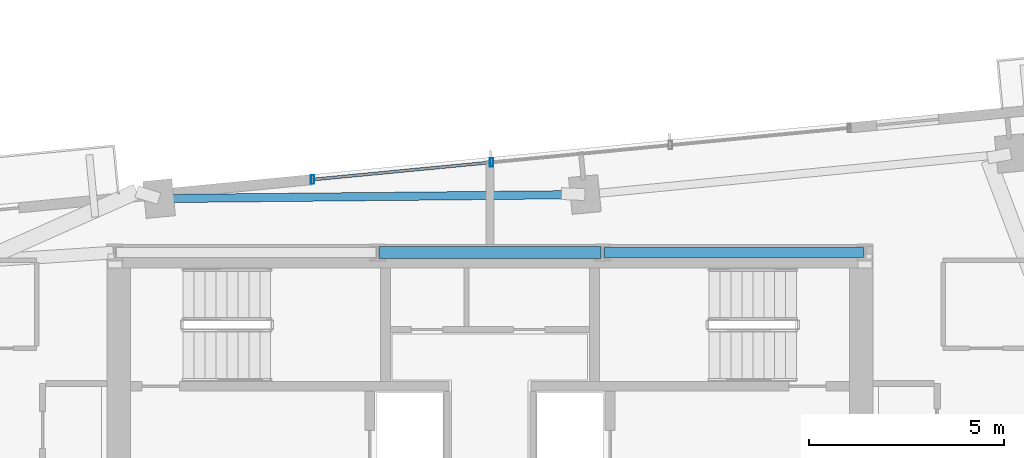
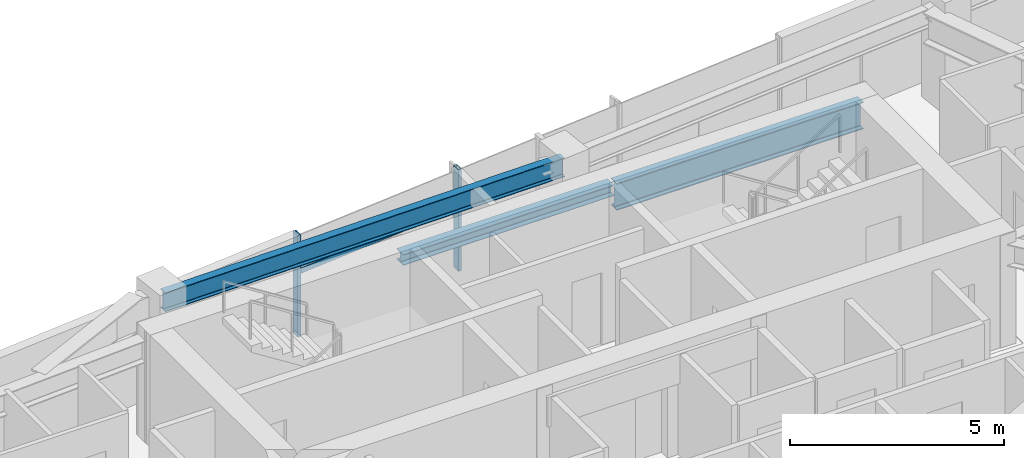
# One storey, part 6 of 18: 3 beams, 3 members, 1 element without a shape of its own.
"""IFC4 building model written with IfcOpenShell, lengths in metres."""

from ifc_helpers import new_model, si_unit, direction, frame, origin, origin_2d, place, context, subcontext, project, spatial, hollow_rectangle, i_section, extrude, source, transform, mapped, material, material_profile, profile_set, type_object, type_shapes, element, aggregate, save


model = new_model("IFC4")

# Units and contexts
model_context = context("Model", 3, precision=1e-05, world=origin(), true_north=direction((0.0, 1.0)))
body_context = subcontext(model_context, "Body", "Model", "MODEL_VIEW")
ifc_project = project(units=[si_unit("LENGTHUNIT", "METRE"), si_unit("AREAUNIT", "SQUARE_METRE"), si_unit("VOLUMEUNIT", "CUBIC_METRE"), si_unit("PLANEANGLEUNIT", "RADIAN"), si_unit("MASSUNIT", "GRAM", prefix="KILO")], contexts=[model_context])

# Site, building, storey
site_placement = place(None, origin())
site = spatial("IfcSite", under=ifc_project, at=site_placement, CompositionType="ELEMENT")
building_placement = place(site_placement, origin())
building = spatial("IfcBuilding", under=site, at=building_placement, Name="Astriad Promenade Condominiums", CompositionType="ELEMENT")
storey_placement = place(building_placement, frame((0.0, 0.0, 208.199951171875)))
storey = spatial("IfcBuildingStorey", under=building, at=storey_placement, Name="L60", CompositionType="ELEMENT", Elevation=208.199951171875)

# Beams
ifc_material_1 = material(Name="Steel ASTM A992 Grade 50", Category="steel")
ifc_material_profile_1 = material_profile(ifc_material_1, i_section(OverallWidth=0.267822265625, OverallDepth=0.76953125, WebThickness=0.015625, FlangeThickness=0.025390625, FilletRadius=0.021484375, at=origin_2d()), Name="W30X132")
ifc_profile_set_1 = profile_set([ifc_material_profile_1], Name="Steel ASTM A992 Grade 50")
beam_type_1 = type_object("IfcBeamType", Name="STEEL FLOOR GIRDER W30X132", PredefinedType="BEAM", material=ifc_profile_set_1)
shared_shape_1 = source(origin(), body_context, "Body", "SweptSolid", [
    extrude(i_section(OverallWidth=0.267822265625, OverallDepth=0.76953125, WebThickness=0.015625, FlangeThickness=0.025390625, FilletRadius=0.021484375, at=origin_2d()), origin(), (0.0, 0.0, 1.0), 6.64013671875),
])
type_shapes(beam_type_1, [shared_shape_1])
beam_1_placement = place(storey_placement, frame((38.919921875, 24.0, 2.51513671875), z_axis=(1.0, 0.0, 0.0), x_axis=(0.0, 1.0, 0.0)))
element("IfcBeam", 1, at=beam_1_placement, inside=storey, type_object=beam_type_1, Name="Core Ring Beam CG-N3-L60", PredefinedType="BEAM", context=body_context, shape_type="MappedRepresentation", body=[
    mapped(shared_shape_1, transform((0.0, 0.0, 0.0), scale=1.0)),
])
ifc_material_profile_2 = material_profile(ifc_material_1, i_section(OverallWidth=0.3046875, OverallDepth=0.307861328125, WebThickness=0.010009765625, FlangeThickness=0.015380859375, FilletRadius=0.01513671875, at=origin_2d()), Name="W12X65")
ifc_profile_set_2 = profile_set([ifc_material_profile_2], Name="Steel ASTM A992 Grade 50")
beam_type_2 = type_object("IfcBeamType", Name="STEEL OPENING LINTEL W12X65", PredefinedType="LINTEL", material=ifc_profile_set_2)
shared_shape_2 = source(origin(), body_context, "Body", "SweptSolid", [
    extrude(i_section(OverallWidth=0.3046875, OverallDepth=0.307861328125, WebThickness=0.010009765625, FlangeThickness=0.015380859375, FilletRadius=0.01513671875, at=origin_2d()), origin(), (0.0, 0.0, 1.0), 5.68017578125),
])
type_shapes(beam_type_2, [shared_shape_2])
beam_2_placement = place(storey_placement, frame((33.159912109375, 24.0, 2.74609375), z_axis=(1.0, 0.0, 0.0), x_axis=(0.0, 1.0, 0.0)))
element("IfcBeam", 2, at=beam_2_placement, inside=storey, type_object=beam_type_2, Name="Core Ring Beam CG-N2-L60", PredefinedType="LINTEL", context=body_context, shape_type="MappedRepresentation", body=[
    mapped(shared_shape_2, transform((0.0, 0.0, 0.0), scale=1.0)),
])
ifc_material_profile_3 = material_profile(ifc_material_1, i_section(OverallWidth=0.210693359375, OverallDepth=0.53955078125, WebThickness=0.01171875, FlangeThickness=0.018798828125, FilletRadius=0.0166015625, at=origin_2d()), Name="W21X73")
ifc_profile_set_3 = profile_set([ifc_material_profile_3], Name="Steel ASTM A992 Grade 50")
beam_type_3 = type_object("IfcBeamType", Name="STEEL SPANDREL BEAM W21X73", PredefinedType="SPANDREL", material=ifc_profile_set_3)
shared_shape_3 = source(origin(), body_context, "Body", "SweptSolid", [
    extrude(i_section(OverallWidth=0.210693359375, OverallDepth=0.53955078125, WebThickness=0.01171875, FlangeThickness=0.018798828125, FilletRadius=0.0166015625, at=origin_2d()), origin(), (0.0, 0.0, 1.0), 10.820068359375),
])
type_shapes(beam_type_3, [shared_shape_3])
beam_3_placement = place(storey_placement, frame((38.391357421875, 25.482666015625, 2.63037109375), z_axis=(-0.999955308161, -0.009454188553, 0.0), x_axis=(0.009454188553, -0.999955308161, 0.0)))
element("IfcBeam", 3, at=beam_3_placement, inside=storey, type_object=beam_type_3, Name="Perimeter Spandrel Beam SP-N2-L60", PredefinedType="SPANDREL", context=body_context, shape_type="MappedRepresentation", body=[
    mapped(shared_shape_3, transform((0.0, 0.0, 0.0), scale=1.0)),
])

# Curtain wall, members
ifc_material_2 = material(Name="Anodised aluminium Black Dark Glass Unitised", Category="aluminium")
curtain_wall_type = type_object("IfcCurtainWallType", Name="CW-B34-DARK", PredefinedType="USERDEFINED", material=ifc_material_2)
curtain_wall_placement = place(storey_placement, origin())
curtain_wall = element("IfcCurtainWall", 4, at=curtain_wall_placement, inside=storey, type_object=curtain_wall_type, Name="CW-L60-N", ObjectType="UNITISED_CURTAIN_WALL", PredefinedType="USERDEFINED")
ifc_material_3 = material(Name="Anodised aluminium 6063-T6 Black", Category="aluminium")
ifc_material_profile_4 = material_profile(ifc_material_3, hollow_rectangle(XDim=0.074951171875, YDim=0.14990234375, WallThickness=0.004150390625, at=origin_2d()), Name="ALU-TRN-75X150")
ifc_profile_set_4 = profile_set([ifc_material_profile_4], Name="Anodised aluminium 6063-T6 Black")
member_type_1 = type_object("IfcMemberType", Name="TRN-ALU-TRN-75X150", PredefinedType="USERDEFINED", material=ifc_profile_set_4)
shared_shape_4 = source(origin(), body_context, "Body", "SweptSolid", [
    extrude(hollow_rectangle(XDim=0.074951171875, YDim=0.14990234375, WallThickness=0.004150390625, at=origin_2d()), origin(), (0.0, 0.0, 1.0), 4.60009765625),
])
type_shapes(member_type_1, [shared_shape_4])
member_1_placement = place(storey_placement, frame((31.46240234375, 25.866943359375, 1.798095703125), z_axis=(0.995395697572, 0.095850953336, 0.0), x_axis=(-0.095850953336, 0.995395697572, 0.0)))
member_1 = element("IfcMember", 5, at=member_1_placement, type_object=member_type_1, Name="CW-L60-N-TRN-00-0", ObjectType="TRANSOM", PredefinedType="USERDEFINED", context=body_context, shape_type="MappedRepresentation", body=[
    mapped(shared_shape_4, transform((0.0, 0.0, 0.0), scale=1.0)),
])
ifc_material_profile_5 = material_profile(ifc_material_3, hollow_rectangle(XDim=0.0849609375, YDim=0.219970703125, WallThickness=0.0048828125, at=origin_2d()), Name="ALU-MUL-85X220")
ifc_profile_set_5 = profile_set([ifc_material_profile_5], Name="Anodised aluminium 6063-T6 Black")
member_type_2 = type_object("IfcMemberType", Name="MUL-ALU-MUL-85X220", PredefinedType="MULLION", material=ifc_profile_set_5)
shared_shape_5 = source(origin(), body_context, "Body", "SweptSolid", [
    extrude(hollow_rectangle(XDim=0.0849609375, YDim=0.219970703125, WallThickness=0.0048828125, at=origin_2d()), origin(), (0.0, 0.0, 1.0), 2.900146484375),
])
type_shapes(member_type_2, [shared_shape_5])
member_2_placement = place(storey_placement, frame((31.46240234375, 25.866943359375, 0.0), z_axis=(0.0, 0.0, 1.0), x_axis=(1.0, 0.0, 0.0)))
member_2 = element("IfcMember", 6, at=member_2_placement, type_object=member_type_2, Name="CW-L60-N-MUL-00", PredefinedType="MULLION", context=body_context, shape_type="MappedRepresentation", body=[
    mapped(shared_shape_5, transform((0.0, 0.0, 0.0), scale=1.0)),
])
member_3_placement = place(storey_placement, frame((36.041259765625, 26.307861328125, 0.0), z_axis=(0.0, 0.0, 1.0), x_axis=(1.0, 0.0, 0.0)))
member_3 = element("IfcMember", 7, at=member_3_placement, type_object=member_type_2, Name="CW-L60-N-MUL-01", PredefinedType="MULLION", context=body_context, shape_type="MappedRepresentation", body=[
    mapped(shared_shape_5, transform((0.0, 0.0, 0.0), scale=1.0)),
])
aggregate(curtain_wall, [member_2, member_3, member_1])

save(model, "model.ifc")
